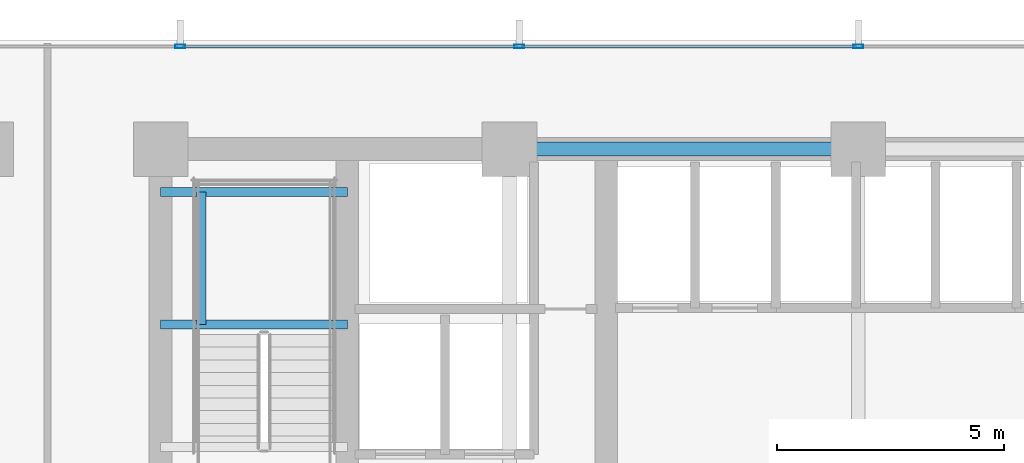
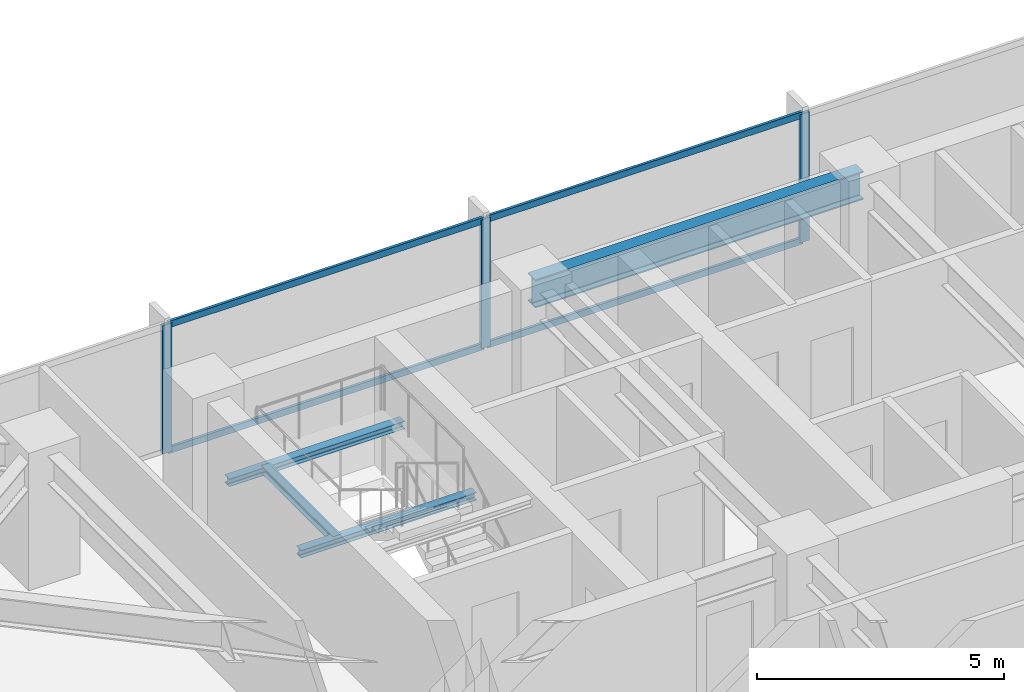
# One storey, part 18 of 32: 7 members, 4 beams, 1 element without a shape of its own.
"""IFC4 building model written with IfcOpenShell, lengths in metres."""

from ifc_helpers import new_model, si_unit, direction, frame, origin, origin_2d, place, context, subcontext, project, spatial, hollow_rectangle, i_section, extrude, material, material_profile, profile_set, type_object, element, aggregate, save


model = new_model("IFC4")

# Units and contexts
model_context = context("Model", 3, precision=1e-05, world=origin(), true_north=direction((0.0, 1.0)))
body_context = subcontext(model_context, "Body", "Model", "MODEL_VIEW")
ifc_project = project(units=[si_unit("LENGTHUNIT", "METRE"), si_unit("AREAUNIT", "SQUARE_METRE"), si_unit("VOLUMEUNIT", "CUBIC_METRE"), si_unit("PLANEANGLEUNIT", "RADIAN"), si_unit("MASSUNIT", "GRAM", prefix="KILO")], contexts=[model_context])

# Site, building, storey
site_placement = place(None, origin())
site = spatial("IfcSite", under=ifc_project, at=site_placement, CompositionType="ELEMENT")
building_placement = place(site_placement, origin())
building = spatial("IfcBuilding", under=site, at=building_placement, Name="Yelkora Congress Tower", CompositionType="ELEMENT")
storey_placement = place(building_placement, frame((0.0, 0.0, 67.800048828125)))
storey = spatial("IfcBuildingStorey", under=building, at=storey_placement, Name="L17", CompositionType="ELEMENT", Elevation=67.800048828125)

# Beams
ifc_material_1 = material(Name="Steel S355J2", Category="steel")
ifc_material_profile_1 = material_profile(ifc_material_1, i_section(OverallWidth=0.300048828125, OverallDepth=0.699951171875, WebThickness=0.01708984375, FlangeThickness=0.031982421875, FilletRadius=0.027099609375, at=origin_2d()), Name="HEB 700")
ifc_profile_set_1 = profile_set([ifc_material_profile_1], Name="Steel S355J2")
beam_type_1 = type_object("IfcBeamType", Name="BM-GIRD-HEB700", PredefinedType="BEAM", material=ifc_profile_set_1)
beam_1_placement = place(storey_placement, frame((30.719970703125, 46.199951171875, 2.829833984375), z_axis=(1.0, 0.0, 0.0), x_axis=(0.0, 1.0, 0.0)))
element("IfcBeam", 1, at=beam_1_placement, inside=storey, type_object=beam_type_1, Name="L17 Core North Girder 3", PredefinedType="BEAM", context=body_context, shape_type="SweptSolid", body=[
    extrude(i_section(OverallWidth=0.300048828125, OverallDepth=0.699951171875, WebThickness=0.01708984375, FlangeThickness=0.031982421875, FilletRadius=0.027099609375, at=origin_2d()), origin(), (0.0, 0.0, 1.0), 7.679931640625),
])
ifc_material_profile_2 = material_profile(ifc_material_1, i_section(OverallWidth=0.199951171875, OverallDepth=0.18994140625, WebThickness=0.006591796875, FlangeThickness=0.010009765625, FilletRadius=0.01806640625, at=origin_2d()), Name="HEA 200")
ifc_profile_set_2 = profile_set([ifc_material_profile_2], Name="Steel S355J2")
beam_type_2 = type_object("IfcBeamType", Name="BM-LAND-HEA200", PredefinedType="BEAM", material=ifc_profile_set_2)
for number, where, z_axis, x_axis, name in (
    (2, (23.0400390625, 42.340087890625, 1.384521484375), (1.0, 0.0, 0.0), (0.0, 1.0, 0.0), "ST-01 L17 Landing Header Beam 1S"),
    (3, (23.0400390625, 45.25, 1.384521484375), (1.0, 0.0, 0.0), (0.0, 1.0, 0.0), "ST-01 L17 Landing Header Beam 1N"),
):
    element("IfcBeam", number, at=place(storey_placement, frame(where, z_axis=z_axis, x_axis=x_axis)), inside=storey, type_object=beam_type_2, Name=name, PredefinedType="BEAM", context=body_context, shape_type="SweptSolid", body=[
        extrude(i_section(OverallWidth=0.199951171875, OverallDepth=0.18994140625, WebThickness=0.006591796875, FlangeThickness=0.010009765625, FilletRadius=0.01806640625, at=origin_2d()), origin(), (0.0, 0.0, 1.0), 4.10986328125),
    ])
beam_2_placement = place(storey_placement, frame((23.93994140625, 42.340087890625, 1.384521484375), z_axis=(0.0, 1.0, 0.0), x_axis=(-1.0, 0.0, 0.0)))
element("IfcBeam", 4, at=beam_2_placement, inside=storey, type_object=beam_type_2, Name="ST-01 L17 Landing Trimmer Beam 1M", PredefinedType="BEAM", context=body_context, shape_type="SweptSolid", body=[
    extrude(i_section(OverallWidth=0.199951171875, OverallDepth=0.18994140625, WebThickness=0.006591796875, FlangeThickness=0.010009765625, FilletRadius=0.01806640625, at=origin_2d()), origin(), (0.0, 0.0, 1.0), 2.909912109375),
])

# Curtain wall, members
ifc_material_2 = material(Name="Anodised aluminium and insulated glass", Category="aluminium")
curtain_wall_type = type_object("IfcCurtainWallType", Name="CW-SYS-B1", PredefinedType="NOTDEFINED", material=ifc_material_2)
curtain_wall_placement = place(storey_placement, origin())
curtain_wall = element("IfcCurtainWall", 5, at=curtain_wall_placement, inside=storey, type_object=curtain_wall_type, Name="L17 Unitised Curtain Wall 10", PredefinedType="NOTDEFINED")
ifc_material_3 = material(Name="Anodised aluminium 6063-T6", Category="aluminium")
ifc_material_profile_3 = material_profile(ifc_material_3, hollow_rectangle(XDim=0.074951171875, YDim=0.219970703125, WallThickness=0.0048828125, at=origin_2d()), Name="ALU 75x220x5")
ifc_profile_set_3 = profile_set([ifc_material_profile_3], Name="Anodised aluminium 6063-T6")
member_type_1 = type_object("IfcMemberType", Name="MEM-ML-B1", PredefinedType="MULLION", material=ifc_profile_set_3)
member_1_placement = place(storey_placement, frame((23.469970703125, 48.4599609375, 0.0), z_axis=(0.0, 0.0, 1.0), x_axis=(0.0, 1.0, 0.0)))
member_1 = element("IfcMember", 6, at=member_1_placement, type_object=member_type_1, Name="CW-B1 mullion 3", PredefinedType="MULLION", context=body_context, shape_type="SweptSolid", body=[
    extrude(hollow_rectangle(XDim=0.074951171875, YDim=0.219970703125, WallThickness=0.0048828125, at=origin_2d()), origin(), (0.0, 0.0, 1.0), 3.179931640625),
])
member_2_placement = place(storey_placement, frame((30.93505859375, 48.4599609375, 0.0), z_axis=(0.0, 0.0, 1.0), x_axis=(0.0, 1.0, 0.0)))
member_2 = element("IfcMember", 7, at=member_2_placement, type_object=member_type_1, Name="CW-B1 mullion 4", PredefinedType="MULLION", context=body_context, shape_type="SweptSolid", body=[
    extrude(hollow_rectangle(XDim=0.074951171875, YDim=0.219970703125, WallThickness=0.0048828125, at=origin_2d()), origin(), (0.0, 0.0, 1.0), 3.179931640625),
])
member_3_placement = place(storey_placement, frame((38.39990234375, 48.4599609375, 0.0), z_axis=(0.0, 0.0, 1.0), x_axis=(0.0, 1.0, 0.0)))
member_3 = element("IfcMember", 8, at=member_3_placement, type_object=member_type_1, Name="CW-B1 mullion 5", PredefinedType="MULLION", context=body_context, shape_type="SweptSolid", body=[
    extrude(hollow_rectangle(XDim=0.074951171875, YDim=0.219970703125, WallThickness=0.0048828125, at=origin_2d()), origin(), (0.0, 0.0, 1.0), 3.179931640625),
])
ifc_material_profile_4 = material_profile(ifc_material_3, hollow_rectangle(XDim=0.06494140625, YDim=0.159912109375, WallThickness=0.00390625, at=origin_2d()), Name="ALU 65x160x4")
ifc_profile_set_4 = profile_set([ifc_material_profile_4], Name="Anodised aluminium 6063-T6")
member_type_2 = type_object("IfcMemberType", Name="MEM-TR-B1", PredefinedType="USERDEFINED", material=ifc_profile_set_4)
member_4_placement = place(storey_placement, frame((23.507568359375, 48.4599609375, 0.032470703125), z_axis=(1.0, 0.0, 0.0), x_axis=(0.0, 1.0, 0.0)))
member_4 = element("IfcMember", 9, at=member_4_placement, type_object=member_type_2, Name="CW-B1 transom 3.1", ObjectType="TRANSOM", PredefinedType="USERDEFINED", context=body_context, shape_type="SweptSolid", body=[
    extrude(hollow_rectangle(XDim=0.06494140625, YDim=0.159912109375, WallThickness=0.00390625, at=origin_2d()), origin(), (0.0, 0.0, 1.0), 7.389892578125),
])
member_5_placement = place(storey_placement, frame((23.507568359375, 48.4599609375, 3.1474609375), z_axis=(1.0, 0.0, 0.0), x_axis=(0.0, 1.0, 0.0)))
member_5 = element("IfcMember", 10, at=member_5_placement, type_object=member_type_2, Name="CW-B1 transom 3.2", ObjectType="TRANSOM", PredefinedType="USERDEFINED", context=body_context, shape_type="SweptSolid", body=[
    extrude(hollow_rectangle(XDim=0.06494140625, YDim=0.159912109375, WallThickness=0.00390625, at=origin_2d()), origin(), (0.0, 0.0, 1.0), 7.389892578125),
])
member_6_placement = place(storey_placement, frame((30.972412109375, 48.4599609375, 0.032470703125), z_axis=(1.0, 0.0, 0.0), x_axis=(0.0, 1.0, 0.0)))
member_6 = element("IfcMember", 11, at=member_6_placement, type_object=member_type_2, Name="CW-B1 transom 4.1", ObjectType="TRANSOM", PredefinedType="USERDEFINED", context=body_context, shape_type="SweptSolid", body=[
    extrude(hollow_rectangle(XDim=0.06494140625, YDim=0.159912109375, WallThickness=0.00390625, at=origin_2d()), origin(), (0.0, 0.0, 1.0), 7.39013671875),
])
member_7_placement = place(storey_placement, frame((30.972412109375, 48.4599609375, 3.1474609375), z_axis=(1.0, 0.0, 0.0), x_axis=(0.0, 1.0, 0.0)))
member_7 = element("IfcMember", 12, at=member_7_placement, type_object=member_type_2, Name="CW-B1 transom 4.2", ObjectType="TRANSOM", PredefinedType="USERDEFINED", context=body_context, shape_type="SweptSolid", body=[
    extrude(hollow_rectangle(XDim=0.06494140625, YDim=0.159912109375, WallThickness=0.00390625, at=origin_2d()), origin(), (0.0, 0.0, 1.0), 7.39013671875),
])
aggregate(curtain_wall, [member_1, member_2, member_3, member_4, member_5, member_6, member_7])

save(model, "model.ifc")
